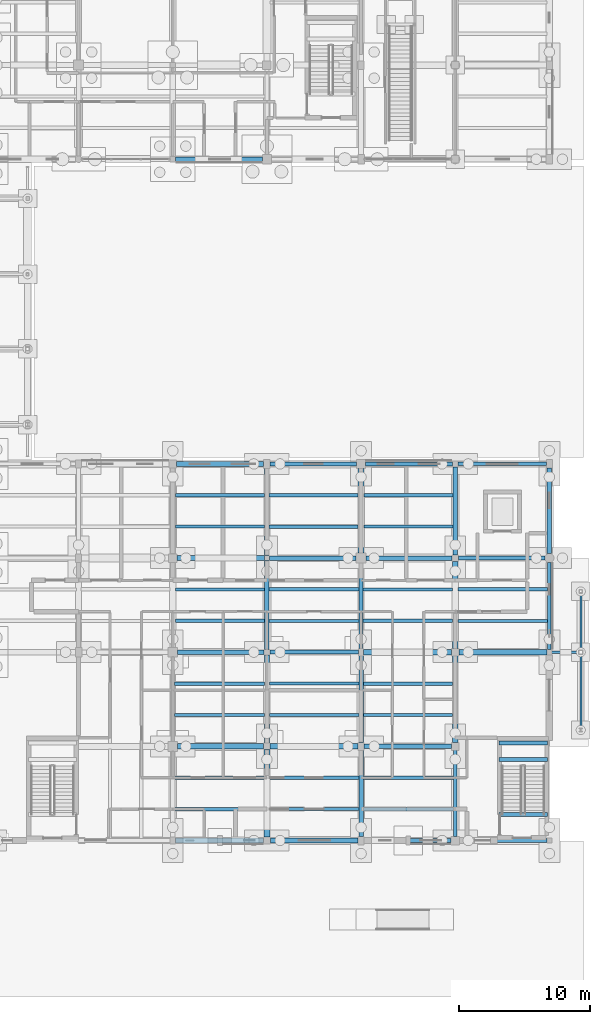
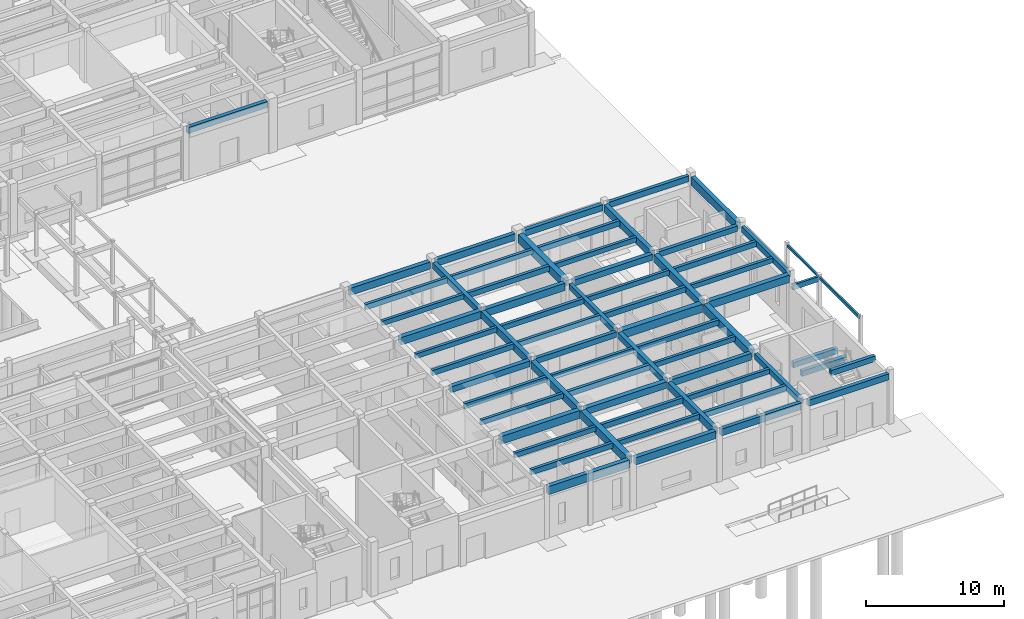
# One storey, part 72 of 143: 66 beams.
"""IFC4 building model written with IfcOpenShell, lengths in metres."""

import ifcopenshell
import ifcopenshell.guid

model = None  # the IFC model being written
_history = None  # IfcOwnerHistory: only IFC2X3 demands one
_inside = {}  # id of a spatial element -> (the spatial element, [elements in it])
_under = {}  # id of a project, library or spatial element -> (it, [spatial elements below it])
_declared = {}  # id of a project -> (the project, [libraries it declares])
_typed = {}  # id of a type object -> (the type object, [elements of that type])
_made_of = {}  # id of a material, layer set ... -> (it, [elements and type objects made of it])


def new_model(schema):
    """Start an empty IFC model of exactly this schema.

    Asked for "IFC4X3", IfcOpenShell would pick the latest addendum, in which some entities
    have other attributes; the version numbers below select the first issue.
    IFC2X3 requires an IfcOwnerHistory on every rooted entity: one is made here for all.
    """
    global model, _history
    if schema == "IFC4X3":
        model = ifcopenshell.file(schema_version=(4, 3, 0, 0))
    else:
        model = ifcopenshell.file(schema=schema)
    _inside.clear()
    _under.clear()
    _declared.clear()
    _typed.clear()
    _made_of.clear()
    _history = None
    if model.schema == "IFC2X3":
        org = make("IfcOrganization", Name="unknown")
        user = make(
            "IfcPersonAndOrganization",
            ThePerson=make("IfcPerson", FamilyName="unknown"),
            TheOrganization=org,
        )
        app = make(
            "IfcApplication",
            ApplicationDeveloper=org,
            Version="unknown",
            ApplicationFullName="unknown",
            ApplicationIdentifier="unknown",
        )
        _history = make(
            "IfcOwnerHistory",
            OwningUser=user,
            OwningApplication=app,
            ChangeAction="ADDED",
            CreationDate=0,
        )
    return model


def make(cls, **values):
    """One entity of the class cls with the attributes given. An attribute that is None is left unset."""
    return model.create_entity(
        cls, **{name: value for name, value in values.items() if value is not None}
    )


def rooted(cls, **values):
    """An entity with a GlobalId (a new one), such as an element, a storey or a relation."""
    return make(cls, GlobalId=ifcopenshell.guid.new(), OwnerHistory=_history, **values)


def si_unit(unit_type, name, prefix=None):
    """IfcSIUnit, for example si_unit("LENGTHUNIT", "METRE", prefix="MILLI")."""
    return make("IfcSIUnit", UnitType=unit_type, Prefix=prefix, Name=name)


def assignment(units):
    """IfcUnitAssignment: the units of a project."""
    return None if units is None else make("IfcUnitAssignment", Units=units)


def point(xyz):
    """IfcCartesianPoint."""
    return None if xyz is None else make("IfcCartesianPoint", Coordinates=xyz)


def direction(xyz):
    """IfcDirection."""
    return None if xyz is None else make("IfcDirection", DirectionRatios=xyz)


def frame(location, z_axis=None, x_axis=None):
    """IfcAxis2Placement3D, a coordinate frame: its origin and axes. An axis left out is left unset."""
    return make(
        "IfcAxis2Placement3D",
        Location=point(location),
        Axis=direction(z_axis),
        RefDirection=direction(x_axis),
    )


def frame_2d(location, x_axis=None):
    """IfcAxis2Placement2D, a coordinate frame in the plane: its origin and x axis."""
    return make(
        "IfcAxis2Placement2D", Location=point(location), RefDirection=direction(x_axis)
    )


def origin():
    """The frame at (0, 0, 0) with its axes left unset."""
    return frame((0.0, 0.0, 0.0))


def origin_2d():
    """The frame at (0, 0) in the plane with its x axis left unset."""
    return frame_2d((0.0, 0.0))


def place(relative_to, where):
    """IfcLocalPlacement: puts the frame where relative to a parent placement (None: the world)."""
    return make(
        "IfcLocalPlacement", PlacementRelTo=relative_to, RelativePlacement=where
    )


def context(
    kind, dimensions, precision=None, world=None, true_north=None, identifier=None
):
    """IfcGeometricRepresentationContext, for example the 3D "Model" context."""
    return make(
        "IfcGeometricRepresentationContext",
        ContextIdentifier=identifier,
        ContextType=kind,
        CoordinateSpaceDimension=dimensions,
        Precision=precision,
        WorldCoordinateSystem=world,
        TrueNorth=true_north,
    )


def subcontext(parent, identifier, kind, view, scale=None):
    """IfcGeometricRepresentationSubContext, for example "Body" below "Model"."""
    return make(
        "IfcGeometricRepresentationSubContext",
        ContextIdentifier=identifier,
        ContextType=kind,
        ParentContext=parent,
        TargetScale=scale,
        TargetView=view,
    )


def project(units=None, contexts=None):
    """IfcProject with its units and contexts."""
    return rooted(
        "IfcProject",
        Name="project",
        RepresentationContexts=contexts,
        UnitsInContext=assignment(units),
    )


def spatial(cls, under=None, at=None, **own):
    """A site, building, storey or space (cls), placed at a placement, below another one or the project."""
    s = rooted(cls, ObjectPlacement=at, **own)
    if under is not None:
        _under.setdefault(under.id(), (under, []))[1].append(s)
    return s


def profile(cls, at=None, kind="AREA", **sizes):
    """A parametric profile (cls). Its sizes go by their IFC names, for example OverallWidth=200.0."""
    return make(cls, ProfileType=kind, Position=at, **sizes)


def rectangle(**sizes):
    """IfcRectangleProfileDef."""
    return profile("IfcRectangleProfileDef", **sizes)


def hollow_rectangle(**sizes):
    """IfcRectangleHollowProfileDef."""
    return profile("IfcRectangleHollowProfileDef", **sizes)


def extrude(swept, where, along, depth):
    """IfcExtrudedAreaSolid: the profile swept, set in the frame where, extruded along a direction by depth."""
    return make(
        "IfcExtrudedAreaSolid",
        SweptArea=swept,
        Position=where,
        ExtrudedDirection=direction(along),
        Depth=depth,
    )


def shape(context_of_items, identifier, shape_type, items):
    """IfcShapeRepresentation: the items that make up one representation, for example the "Body"."""
    return make(
        "IfcShapeRepresentation",
        ContextOfItems=context_of_items,
        RepresentationIdentifier=identifier,
        RepresentationType=shape_type,
        Items=items,
    )


def material(Name=None, Category=None):
    """IfcMaterial."""
    return make("IfcMaterial", Name=Name, Category=Category)


def material_profile(
    of_material, cross_section, Name=None, Category=None, Priority=None
):
    """IfcMaterialProfile: a cross section and its material."""
    return make(
        "IfcMaterialProfile",
        Name=Name,
        Material=of_material,
        Profile=cross_section,
        Priority=Priority,
        Category=Category,
    )


def profile_set(profiles, Name=None, composite=None):
    """IfcMaterialProfileSet."""
    return make(
        "IfcMaterialProfileSet",
        Name=Name,
        MaterialProfiles=profiles,
        CompositeProfile=composite,
    )


def made_of(thing, what):
    """Note that an element or type object is made of a material, layer set ...; save() writes the relation."""
    if what is not None:
        _made_of.setdefault(what.id(), (what, []))[1].append(thing)
    return thing


def type_object(cls, material=None, **own):
    """A type object (cls), such as IfcWallType, which elements share."""
    return made_of(rooted(cls, **own), material)


def element(
    cls,
    number,
    at=None,
    inside=None,
    cuts=None,
    type_object=None,
    material=None,
    context=None,
    identifier="Body",
    shape_type=None,
    held_by="IfcProductDefinitionShape",
    body=None,
    shapes=None,
    **own,
):
    """One element of the class cls, such as IfcWall. Its Tag is "e" and its number.

    at: its placement. inside: the storey or other place that contains it. cuts: it is an
    opening in that element (IfcRelVoidsElement). A single representation is given by context,
    identifier, shape_type and body (its items); several are given by shapes. held_by: the class
    of the entity that holds the representations. save() writes the other relations.
    """
    e = rooted(cls, Tag="e%d" % number, ObjectPlacement=at, **own)
    if body is not None:
        shapes = [shape(context, identifier, shape_type, body)]
    if shapes is not None:
        e.Representation = make(held_by, Representations=shapes)
    if inside is not None:
        _inside.setdefault(inside.id(), (inside, []))[1].append(e)
    if cuts is not None:
        rooted(
            "IfcRelVoidsElement", RelatingBuildingElement=cuts, RelatedOpeningElement=e
        )
    if type_object is not None:
        _typed.setdefault(type_object.id(), (type_object, []))[1].append(e)
    return made_of(e, material)


def aggregate(whole, parts):
    """IfcRelAggregates: a whole, such as a stair, and the parts it consists of."""
    return rooted("IfcRelAggregates", RelatingObject=whole, RelatedObjects=parts)


def save(model, path):
    """Write the relations noted so far, then the file.

    IfcRelAggregates (storeys below a building ...), IfcRelContainedInSpatialStructure (elements
    in a storey), IfcRelDefinesByType, IfcRelAssociatesMaterial and IfcRelDeclares: one each for
    every whole, place, type object, material and project.
    """
    for whole, parts in _under.values():
        aggregate(whole, parts)
    for where, things in _inside.values():
        rooted(
            "IfcRelContainedInSpatialStructure",
            RelatedElements=things,
            RelatingStructure=where,
        )
    for kind, things in _typed.values():
        rooted("IfcRelDefinesByType", RelatedObjects=things, RelatingType=kind)
    for what, things in _made_of.values():
        rooted("IfcRelAssociatesMaterial", RelatedObjects=things, RelatingMaterial=what)
    for by, libraries in _declared.values():
        rooted("IfcRelDeclares", RelatingContext=by, RelatedDefinitions=libraries)
    model.write(path)


model = new_model("IFC4")

# Units and contexts
model_context = context("Model", 3, precision=1e-05, world=origin(), true_north=direction((0.0, 1.0)))
body_context = subcontext(model_context, "Body", "Model", "MODEL_VIEW")
ifc_project = project(units=[si_unit("LENGTHUNIT", "METRE"), si_unit("AREAUNIT", "SQUARE_METRE"), si_unit("VOLUMEUNIT", "CUBIC_METRE"), si_unit("PLANEANGLEUNIT", "RADIAN"), si_unit("MASSUNIT", "GRAM", prefix="KILO")], contexts=[model_context])

# Site, building, storey
site_placement = place(None, origin())
site = spatial("IfcSite", under=ifc_project, at=site_placement, CompositionType="ELEMENT")
building_placement = place(site_placement, origin())
building = spatial("IfcBuilding", under=site, at=building_placement, Name="Steenspoor Specialist Clinic", CompositionType="ELEMENT")
storey_placement = place(building_placement, origin())
storey = spatial("IfcBuildingStorey", under=building, at=storey_placement, Name="L00", CompositionType="ELEMENT", Elevation=0.0)

# Beams
ifc_material_1 = material(Name="Glulam GL28h", Category="wood")
ifc_material_profile_1 = material_profile(ifc_material_1, rectangle(XDim=0.199951171875, YDim=0.43994140625, at=origin_2d()), Name="GL28H-200X440")
ifc_profile_set_1 = profile_set([ifc_material_profile_1], Name="Glulam GL28h")
beam_type_1 = type_object("IfcBeamType", Name="BM-GL-200X440", PredefinedType="BEAM", material=ifc_profile_set_1)
beam_1_placement = place(storey_placement, frame((163.5, 27.449951171875, 3.1650390625), z_axis=(-1.0, 0.0, 0.0), x_axis=(0.0, -1.0, 0.0)))
element("IfcBeam", 1, at=beam_1_placement, inside=storey, type_object=beam_type_1, Name="BM-PORCH-EAST-TIE-04", PredefinedType="BEAM", context=body_context, shape_type="SweptSolid", body=[
    extrude(rectangle(XDim=0.199951171875, YDim=0.43994140625, at=origin_2d()), origin(), (0.0, 0.0, 1.0), 2.14990234375),
])
ifc_material_2 = material(Name="Concrete C35/45", Category="concrete")
ifc_material_profile_2 = material_profile(ifc_material_2, rectangle(XDim=0.300048828125, YDim=0.47998046875, at=origin_2d()), Name="RC-BM-300X480")
ifc_profile_set_2 = profile_set([ifc_material_profile_2], Name="Concrete C35/45")
beam_type_2 = type_object("IfcBeamType", Name="BM-RC-300X480", PredefinedType="BEAM", material=ifc_profile_set_2)
for number, where, z_axis, x_axis, name in (
    (2, (157.35009765625, 19.25, 1.9599609375), (1.0, 0.0, 0.0), (0.0, 1.0, 0.0), "Stair Mid-Landing Bearer 1 ST-V2B L00"),
    (3, (157.35009765625, 20.5, 1.9599609375), (1.0, 0.0, 0.0), (0.0, 1.0, 0.0), "Stair Mid-Landing Bearer 2 ST-V2B L00"),
    (4, (157.35009765625, 15.050048828125, 4.56005859375), (1.0, 0.0, 0.0), (0.0, 1.0, 0.0), "Stair Well Trimmer Beam ST-V2B L00"),
):
    element("IfcBeam", number, at=place(storey_placement, frame(where, z_axis=z_axis, x_axis=x_axis)), inside=storey, type_object=beam_type_2, Name=name, PredefinedType="BEAM", context=body_context, shape_type="SweptSolid", body=[
        extrude(rectangle(XDim=0.300048828125, YDim=0.47998046875, at=origin_2d()), origin(), (0.0, 0.0, 1.0), 3.699951171875),
    ])
beam_2_placement = place(storey_placement, frame((139.820068359375, 27.449951171875, 4.219970703125), z_axis=(1.0, 0.0, 0.0), x_axis=(0.0, 1.0, 0.0)))
element("IfcBeam", 5, at=beam_2_placement, inside=storey, type_object=beam_type_2, Name="BM-V2-L00-X0166", PredefinedType="BEAM", context=body_context, shape_type="SweptSolid", body=[
    extrude(rectangle(XDim=0.300048828125, YDim=0.47998046875, at=origin_2d()), origin(), (0.0, 0.0, 1.0), 6.784912109375),
])
beam_3_placement = place(storey_placement, frame((154.2451171875, 34.64990234375, 4.219970703125), z_axis=(1.0, 0.0, 0.0), x_axis=(0.0, 1.0, 0.0)))
element("IfcBeam", 6, at=beam_3_placement, inside=storey, type_object=beam_type_2, Name="BM-V2-L00-X0174", PredefinedType="BEAM", context=body_context, shape_type="SweptSolid", body=[
    extrude(rectangle(XDim=0.300048828125, YDim=0.47998046875, at=origin_2d()), origin(), (0.0, 0.0, 1.0), 6.60986328125),
])
beam_4_placement = place(storey_placement, frame((146.800048828125, 27.719970703125, 4.219970703125), z_axis=(0.0, 1.0, 0.0), x_axis=(-1.0, 0.0, 0.0)))
element("IfcBeam", 7, at=beam_4_placement, inside=storey, type_object=beam_type_2, Name="BM-V2-L00-Y0197", PredefinedType="BEAM", context=body_context, shape_type="SweptSolid", body=[
    extrude(rectangle(XDim=0.300048828125, YDim=0.47998046875, at=origin_2d()), origin(), (0.0, 0.0, 1.0), 6.56005859375),
])
beam_5_placement = place(storey_placement, frame((154.0, 13.3701171875, 4.219970703125), z_axis=(0.0, 1.0, 0.0), x_axis=(-1.0, 0.0, 0.0)))
element("IfcBeam", 8, at=beam_5_placement, inside=storey, type_object=beam_type_2, Name="BM-V2-L00-Y0199", PredefinedType="BEAM", context=body_context, shape_type="SweptSolid", body=[
    extrude(rectangle(XDim=0.300048828125, YDim=0.47998046875, at=origin_2d()), origin(), (0.0, 0.0, 1.0), 6.5849609375),
])
ifc_material_profile_3 = material_profile(ifc_material_2, rectangle(XDim=0.35009765625, YDim=0.52001953125, at=origin_2d()), Name="RC-BM-350X520")
ifc_profile_set_3 = profile_set([ifc_material_profile_3], Name="Concrete C35/45")
beam_type_3 = type_object("IfcBeamType", Name="BM-RC-350X520", PredefinedType="BEAM", material=ifc_profile_set_3)
beam_6_placement = place(storey_placement, frame((132.7451171875, 27.449951171875, 4.199951171875), z_axis=(1.0, 0.0, 0.0), x_axis=(0.0, 1.0, 0.0)))
element("IfcBeam", 9, at=beam_6_placement, inside=storey, type_object=beam_type_3, Name="BM-V2-L00-X0165", PredefinedType="BEAM", context=body_context, shape_type="SweptSolid", body=[
    extrude(rectangle(XDim=0.35009765625, YDim=0.52001953125, at=origin_2d()), origin(), (0.0, 0.0, 1.0), 6.634765625),
])
beam_7_placement = place(storey_placement, frame((147.169921875, 34.64990234375, 4.199951171875), z_axis=(1.0, 0.0, 0.0), x_axis=(0.0, 1.0, 0.0)))
element("IfcBeam", 10, at=beam_7_placement, inside=storey, type_object=beam_type_3, Name="BM-V2-L00-X0173", PredefinedType="BEAM", context=body_context, shape_type="SweptSolid", body=[
    extrude(rectangle(XDim=0.35009765625, YDim=0.52001953125, at=origin_2d()), origin(), (0.0, 0.0, 1.0), 6.5849609375),
])
beam_8_placement = place(storey_placement, frame((139.60009765625, 34.844970703125, 4.199951171875), z_axis=(0.0, 1.0, 0.0), x_axis=(-1.0, 0.0, 0.0)))
element("IfcBeam", 11, at=beam_8_placement, inside=storey, type_object=beam_type_3, Name="BM-V2-L00-Y0194", PredefinedType="BEAM", context=body_context, shape_type="SweptSolid", body=[
    extrude(rectangle(XDim=0.35009765625, YDim=0.52001953125, at=origin_2d()), origin(), (0.0, 0.0, 1.0), 6.659912109375),
])
beam_9_placement = place(storey_placement, frame((146.800048828125, 20.544921875, 4.199951171875), z_axis=(0.0, 1.0, 0.0), x_axis=(-1.0, 0.0, 0.0)))
element("IfcBeam", 12, at=beam_9_placement, inside=storey, type_object=beam_type_3, Name="BM-V2-L00-Y0196", PredefinedType="BEAM", context=body_context, shape_type="SweptSolid", body=[
    extrude(rectangle(XDim=0.35009765625, YDim=0.52001953125, at=origin_2d()), origin(), (0.0, 0.0, 1.0), 6.635009765625),
])
ifc_material_profile_4 = material_profile(ifc_material_2, rectangle(XDim=0.35009765625, YDim=0.580078125, at=origin_2d()), Name="RC-BM-350X580")
ifc_profile_set_4 = profile_set([ifc_material_profile_4], Name="Concrete C35/45")
beam_type_4 = type_object("IfcBeamType", Name="BM-RC-350X580", PredefinedType="BEAM", material=ifc_profile_set_4)
beam_10_placement = place(storey_placement, frame((147.02001953125, 20.25, 4.169921875), z_axis=(1.0, 0.0, 0.0), x_axis=(0.0, 1.0, 0.0)))
element("IfcBeam", 13, at=beam_10_placement, inside=storey, type_object=beam_type_4, Name="BM-V2-L00-X0162", PredefinedType="BEAM", context=body_context, shape_type="SweptSolid", body=[
    extrude(rectangle(XDim=0.35009765625, YDim=0.580078125, at=origin_2d()), origin(), (0.0, 0.0, 1.0), 6.68505859375),
])
ifc_material_profile_5 = material_profile(ifc_material_2, rectangle(XDim=0.35009765625, YDim=0.64990234375, at=origin_2d()), Name="RC-BM-350X650")
ifc_profile_set_5 = profile_set([ifc_material_profile_5], Name="Concrete C35/45")
beam_type_5 = type_object("IfcBeamType", Name="BM-RC-350X650", PredefinedType="BEAM", material=ifc_profile_set_5)
beam_11_placement = place(storey_placement, frame((139.794921875, 34.64990234375, 4.135009765625), z_axis=(1.0, 0.0, 0.0), x_axis=(0.0, 1.0, 0.0)))
element("IfcBeam", 14, at=beam_11_placement, inside=storey, type_object=beam_type_5, Name="BM-V2-L00-X0172", PredefinedType="BEAM", context=body_context, shape_type="SweptSolid", body=[
    extrude(rectangle(XDim=0.35009765625, YDim=0.64990234375, at=origin_2d()), origin(), (0.0, 0.0, 1.0), 6.635009765625),
])
beam_12_placement = place(storey_placement, frame((139.60009765625, 27.669921875, 4.135009765625), z_axis=(0.0, 1.0, 0.0), x_axis=(-1.0, 0.0, 0.0)))
element("IfcBeam", 15, at=beam_12_placement, inside=storey, type_object=beam_type_5, Name="BM-V2-L00-Y0193", PredefinedType="BEAM", context=body_context, shape_type="SweptSolid", body=[
    extrude(rectangle(XDim=0.35009765625, YDim=0.64990234375, at=origin_2d()), origin(), (0.0, 0.0, 1.0), 6.78515625),
])
beam_13_placement = place(storey_placement, frame((146.800048828125, 13.3701171875, 4.135009765625), z_axis=(0.0, 1.0, 0.0), x_axis=(-1.0, 0.0, 0.0)))
element("IfcBeam", 16, at=beam_13_placement, inside=storey, type_object=beam_type_5, Name="BM-V2-L00-Y0195", PredefinedType="BEAM", context=body_context, shape_type="SweptSolid", body=[
    extrude(rectangle(XDim=0.35009765625, YDim=0.64990234375, at=origin_2d()), origin(), (0.0, 0.0, 1.0), 6.5849609375),
])
beam_14_placement = place(storey_placement, frame((154.0, 34.89501953125, 4.135009765625), z_axis=(0.0, 1.0, 0.0), x_axis=(-1.0, 0.0, 0.0)))
element("IfcBeam", 17, at=beam_14_placement, inside=storey, type_object=beam_type_5, Name="BM-V2-L00-Y0202", PredefinedType="BEAM", context=body_context, shape_type="SweptSolid", body=[
    extrude(rectangle(XDim=0.35009765625, YDim=0.64990234375, at=origin_2d()), origin(), (0.0, 0.0, 1.0), 6.73486328125),
])
ifc_material_profile_6 = material_profile(ifc_material_2, rectangle(XDim=0.39990234375, YDim=0.580078125, at=origin_2d()), Name="RC-BM-400X580")
ifc_profile_set_6 = profile_set([ifc_material_profile_6], Name="Concrete C35/45")
beam_type_6 = type_object("IfcBeamType", Name="BM-RC-400X580", PredefinedType="BEAM", material=ifc_profile_set_6)
beam_15_placement = place(storey_placement, frame((139.844970703125, 20.25, 4.169921875), z_axis=(1.0, 0.0, 0.0), x_axis=(0.0, 1.0, 0.0)))
element("IfcBeam", 18, at=beam_15_placement, inside=storey, type_object=beam_type_6, Name="BM-V2-L00-X0161", PredefinedType="BEAM", context=body_context, shape_type="SweptSolid", body=[
    extrude(rectangle(XDim=0.39990234375, YDim=0.580078125, at=origin_2d()), origin(), (0.0, 0.0, 1.0), 6.735107421875),
])
ifc_material_profile_7 = material_profile(ifc_material_2, rectangle(XDim=0.39990234375, YDim=0.64990234375, at=origin_2d()), Name="RC-BM-400X650")
ifc_profile_set_7 = profile_set([ifc_material_profile_7], Name="Concrete C35/45")
beam_type_7 = type_object("IfcBeamType", Name="BM-RC-400X650", PredefinedType="BEAM", material=ifc_profile_set_7)
beam_16_placement = place(storey_placement, frame((154.27001953125, 27.449951171875, 4.135009765625), z_axis=(1.0, 0.0, 0.0), x_axis=(0.0, 1.0, 0.0)))
element("IfcBeam", 19, at=beam_16_placement, inside=storey, type_object=beam_type_7, Name="BM-V2-L00-X0168", PredefinedType="BEAM", context=body_context, shape_type="SweptSolid", body=[
    extrude(rectangle(XDim=0.39990234375, YDim=0.64990234375, at=origin_2d()), origin(), (0.0, 0.0, 1.0), 6.73486328125),
])
beam_17_placement = place(storey_placement, frame((132.719970703125, 34.64990234375, 4.135009765625), z_axis=(1.0, 0.0, 0.0), x_axis=(0.0, 1.0, 0.0)))
element("IfcBeam", 20, at=beam_17_placement, inside=storey, type_object=beam_type_7, Name="BM-V2-L00-X0171", PredefinedType="BEAM", context=body_context, shape_type="SweptSolid", body=[
    extrude(rectangle(XDim=0.39990234375, YDim=0.64990234375, at=origin_2d()), origin(), (0.0, 0.0, 1.0), 6.68505859375),
])
beam_18_placement = place(storey_placement, frame((139.60009765625, 20.4951171875, 4.135009765625), z_axis=(0.0, 1.0, 0.0), x_axis=(-1.0, 0.0, 0.0)))
element("IfcBeam", 21, at=beam_18_placement, inside=storey, type_object=beam_type_7, Name="BM-V2-L00-Y0192", PredefinedType="BEAM", context=body_context, shape_type="SweptSolid", body=[
    extrude(rectangle(XDim=0.39990234375, YDim=0.64990234375, at=origin_2d()), origin(), (0.0, 0.0, 1.0), 6.73486328125),
])
beam_19_placement = place(storey_placement, frame((154.0, 27.719970703125, 4.135009765625), z_axis=(0.0, 1.0, 0.0), x_axis=(-1.0, 0.0, 0.0)))
element("IfcBeam", 22, at=beam_19_placement, inside=storey, type_object=beam_type_7, Name="BM-V2-L00-Y0201", PredefinedType="BEAM", context=body_context, shape_type="SweptSolid", body=[
    extrude(rectangle(XDim=0.39990234375, YDim=0.64990234375, at=origin_2d()), origin(), (0.0, 0.0, 1.0), 6.68505859375),
])
ifc_material_profile_8 = material_profile(ifc_material_2, rectangle(XDim=0.39990234375, YDim=0.699951171875, at=origin_2d()), Name="RC-BM-400X700")
ifc_profile_set_8 = profile_set([ifc_material_profile_8], Name="Concrete C35/45")
beam_type_8 = type_object("IfcBeamType", Name="BM-RC-400X700", PredefinedType="BEAM", material=ifc_profile_set_8)
beam_20_placement = place(storey_placement, frame((132.77001953125, 20.25, 4.110107421875), z_axis=(1.0, 0.0, 0.0), x_axis=(0.0, 1.0, 0.0)))
element("IfcBeam", 23, at=beam_20_placement, inside=storey, type_object=beam_type_8, Name="BM-V2-L00-X0160", PredefinedType="BEAM", context=body_context, shape_type="SweptSolid", body=[
    extrude(rectangle(XDim=0.39990234375, YDim=0.699951171875, at=origin_2d()), origin(), (0.0, 0.0, 1.0), 6.5849609375),
])
ifc_material_profile_9 = material_profile(ifc_material_2, rectangle(XDim=0.449951171875, YDim=0.719970703125, at=origin_2d()), Name="RC-BM-450X720")
ifc_profile_set_9 = profile_set([ifc_material_profile_9], Name="Concrete C35/45")
beam_type_9 = type_object("IfcBeamType", Name="BM-RC-450X720", PredefinedType="BEAM", material=ifc_profile_set_9)
beam_21_placement = place(storey_placement, frame((146.9951171875, 27.449951171875, 4.10009765625), z_axis=(1.0, 0.0, 0.0), x_axis=(0.0, 1.0, 0.0)))
element("IfcBeam", 24, at=beam_21_placement, inside=storey, type_object=beam_type_9, Name="BM-V2-L00-X0167", PredefinedType="BEAM", context=body_context, shape_type="SweptSolid", body=[
    extrude(rectangle(XDim=0.449951171875, YDim=0.719970703125, at=origin_2d()), origin(), (0.0, 0.0, 1.0), 6.73486328125),
])
beam_22_placement = place(storey_placement, frame((139.60009765625, 13.320068359375, 4.10009765625), z_axis=(0.0, 1.0, 0.0), x_axis=(-1.0, 0.0, 0.0)))
element("IfcBeam", 25, at=beam_22_placement, inside=storey, type_object=beam_type_9, Name="BM-V2-L00-Y0191", PredefinedType="BEAM", context=body_context, shape_type="SweptSolid", body=[
    extrude(rectangle(XDim=0.449951171875, YDim=0.719970703125, at=origin_2d()), origin(), (0.0, 0.0, 1.0), 6.684814453125),
])
beam_23_placement = place(storey_placement, frame((146.800048828125, 35.02001953125, 4.10009765625), z_axis=(0.0, 1.0, 0.0), x_axis=(-1.0, 0.0, 0.0)))
element("IfcBeam", 26, at=beam_23_placement, inside=storey, type_object=beam_type_9, Name="BM-V2-L00-Y0198", PredefinedType="BEAM", context=body_context, shape_type="SweptSolid", body=[
    extrude(rectangle(XDim=0.449951171875, YDim=0.719970703125, at=origin_2d()), origin(), (0.0, 0.0, 1.0), 6.48486328125),
])
beam_24_placement = place(storey_placement, frame((154.0, 20.544921875, 4.10009765625), z_axis=(0.0, 1.0, 0.0), x_axis=(-1.0, 0.0, 0.0)))
element("IfcBeam", 27, at=beam_24_placement, inside=storey, type_object=beam_type_9, Name="BM-V2-L00-Y0200", PredefinedType="BEAM", context=body_context, shape_type="SweptSolid", body=[
    extrude(rectangle(XDim=0.449951171875, YDim=0.719970703125, at=origin_2d()), origin(), (0.0, 0.0, 1.0), 6.635009765625),
])
ifc_material_3 = material(Name="Steel A500 Grade C", Category="steel")
ifc_material_profile_10 = material_profile(ifc_material_3, hollow_rectangle(XDim=0.15234375, YDim=0.203125, WallThickness=0.0087890625, at=origin_2d()), Name="HSS203X152X9.5")
ifc_profile_set_10 = profile_set([ifc_material_profile_10], Name="Steel A500 Grade C")
beam_type_10 = type_object("IfcBeamType", Name="BM-ST-HSS203", PredefinedType="SPANDREL", material=ifc_profile_set_10)
beam_25_placement = place(storey_placement, frame((163.60009765625, 27.550048828125, 3.283447265625), z_axis=(0.0, 1.0, 0.0), x_axis=(-1.0, 0.0, 0.0)))
element("IfcBeam", 28, at=beam_25_placement, inside=storey, type_object=beam_type_10, Name="BM-PORCH-EAST-03", PredefinedType="SPANDREL", context=body_context, shape_type="SweptSolid", body=[
    extrude(hollow_rectangle(XDim=0.15234375, YDim=0.203125, WallThickness=0.0087890625, at=origin_2d()), origin(), (0.0, 0.0, 1.0), 4.449951171875),
])
ifc_material_profile_11 = material_profile(ifc_material_3, hollow_rectangle(XDim=0.15234375, YDim=0.25390625, WallThickness=0.0087890625, at=origin_2d()), Name="HSS254X152X9.5")
ifc_profile_set_11 = profile_set([ifc_material_profile_11], Name="Steel A500 Grade C")
beam_type_11 = type_object("IfcBeamType", Name="BM-ST-HSS254", PredefinedType="SPANDREL", material=ifc_profile_set_11)
beam_26_placement = place(storey_placement, frame((163.60009765625, 21.60009765625, 3.258056640625), z_axis=(0.0, 1.0, 0.0), x_axis=(-1.0, 0.0, 0.0)))
element("IfcBeam", 29, at=beam_26_placement, inside=storey, type_object=beam_type_11, Name="BM-PORCH-EAST-02", PredefinedType="SPANDREL", context=body_context, shape_type="SweptSolid", body=[
    extrude(hollow_rectangle(XDim=0.15234375, YDim=0.25390625, WallThickness=0.0087890625, at=origin_2d()), origin(), (0.0, 0.0, 1.0), 5.75),
])
ifc_material_profile_12 = material_profile(ifc_material_2, rectangle(XDim=0.239990234375, YDim=0.419921875, at=origin_2d()), Name="RC-JT-240X420")
ifc_profile_set_12 = profile_set([ifc_material_profile_12], Name="Concrete C35/45")
beam_type_12 = type_object("IfcBeamType", Name="JT-RC-240X420", PredefinedType="JOIST", material=ifc_profile_set_12)
beam_27_placement = place(storey_placement, frame((132.570068359375, 17.85009765625, 4.25), z_axis=(1.0, 0.0, 0.0), x_axis=(0.0, 1.0, 0.0)))
element("IfcBeam", 30, at=beam_27_placement, inside=storey, type_object=beam_type_12, Name="JT-V2-L00-0218", PredefinedType="JOIST", context=body_context, shape_type="SweptSolid", body=[
    extrude(rectangle(XDim=0.239990234375, YDim=0.419921875, at=origin_2d()), origin(), (0.0, 0.0, 1.0), 6.809814453125),
])
beam_28_placement = place(storey_placement, frame((132.544921875, 22.64990234375, 4.25), z_axis=(1.0, 0.0, 0.0), x_axis=(0.0, 1.0, 0.0)))
element("IfcBeam", 31, at=beam_28_placement, inside=storey, type_object=beam_type_12, Name="JT-V2-L00-0219", PredefinedType="JOIST", context=body_context, shape_type="SweptSolid", body=[
    extrude(rectangle(XDim=0.239990234375, YDim=0.419921875, at=origin_2d()), origin(), (0.0, 0.0, 1.0), 6.860107421875),
])
beam_29_placement = place(storey_placement, frame((132.6201171875, 32.25, 4.25), z_axis=(1.0, 0.0, 0.0), x_axis=(0.0, 1.0, 0.0)))
element("IfcBeam", 32, at=beam_29_placement, inside=storey, type_object=beam_type_12, Name="JT-V2-L00-0222", PredefinedType="JOIST", context=body_context, shape_type="SweptSolid", body=[
    extrude(rectangle(XDim=0.239990234375, YDim=0.419921875, at=origin_2d()), origin(), (0.0, 0.0, 1.0), 6.809814453125),
])
beam_30_placement = place(storey_placement, frame((132.594970703125, 37.050048828125, 4.25), z_axis=(1.0, 0.0, 0.0), x_axis=(0.0, 1.0, 0.0)))
element("IfcBeam", 33, at=beam_30_placement, inside=storey, type_object=beam_type_12, Name="JT-V2-L00-0223", PredefinedType="JOIST", context=body_context, shape_type="SweptSolid", body=[
    extrude(rectangle(XDim=0.239990234375, YDim=0.419921875, at=origin_2d()), origin(), (0.0, 0.0, 1.0), 6.8349609375),
])
beam_31_placement = place(storey_placement, frame((139.820068359375, 15.449951171875, 4.25), z_axis=(1.0, 0.0, 0.0), x_axis=(0.0, 1.0, 0.0)))
element("IfcBeam", 34, at=beam_31_placement, inside=storey, type_object=beam_type_12, Name="JT-V2-L00-0225", PredefinedType="JOIST", context=body_context, shape_type="SweptSolid", body=[
    extrude(rectangle(XDim=0.239990234375, YDim=0.419921875, at=origin_2d()), origin(), (0.0, 0.0, 1.0), 6.809814453125),
])
beam_32_placement = place(storey_placement, frame((139.794921875, 25.050048828125, 4.25), z_axis=(1.0, 0.0, 0.0), x_axis=(0.0, 1.0, 0.0)))
element("IfcBeam", 35, at=beam_32_placement, inside=storey, type_object=beam_type_12, Name="JT-V2-L00-0228", PredefinedType="JOIST", context=body_context, shape_type="SweptSolid", body=[
    extrude(rectangle(XDim=0.239990234375, YDim=0.419921875, at=origin_2d()), origin(), (0.0, 0.0, 1.0), 6.8349609375),
])
beam_33_placement = place(storey_placement, frame((139.77001953125, 29.85009765625, 4.25), z_axis=(1.0, 0.0, 0.0), x_axis=(0.0, 1.0, 0.0)))
element("IfcBeam", 36, at=beam_33_placement, inside=storey, type_object=beam_type_12, Name="JT-V2-L00-0229", PredefinedType="JOIST", context=body_context, shape_type="SweptSolid", body=[
    extrude(rectangle(XDim=0.239990234375, YDim=0.419921875, at=origin_2d()), origin(), (0.0, 0.0, 1.0), 6.885009765625),
])
beam_34_placement = place(storey_placement, frame((139.77001953125, 39.449951171875, 4.25), z_axis=(1.0, 0.0, 0.0), x_axis=(0.0, 1.0, 0.0)))
element("IfcBeam", 37, at=beam_34_placement, inside=storey, type_object=beam_type_12, Name="JT-V2-L00-0232", PredefinedType="JOIST", context=body_context, shape_type="SweptSolid", body=[
    extrude(rectangle(XDim=0.239990234375, YDim=0.419921875, at=origin_2d()), origin(), (0.0, 0.0, 1.0), 6.81005859375),
])
beam_35_placement = place(storey_placement, frame((146.969970703125, 17.85009765625, 4.25), z_axis=(1.0, 0.0, 0.0), x_axis=(0.0, 1.0, 0.0)))
element("IfcBeam", 38, at=beam_35_placement, inside=storey, type_object=beam_type_12, Name="JT-V2-L00-0234", PredefinedType="JOIST", context=body_context, shape_type="SweptSolid", body=[
    extrude(rectangle(XDim=0.239990234375, YDim=0.419921875, at=origin_2d()), origin(), (0.0, 0.0, 1.0), 6.885009765625),
])
beam_36_placement = place(storey_placement, frame((146.969970703125, 22.64990234375, 4.25), z_axis=(1.0, 0.0, 0.0), x_axis=(0.0, 1.0, 0.0)))
element("IfcBeam", 39, at=beam_36_placement, inside=storey, type_object=beam_type_12, Name="JT-V2-L00-0235", PredefinedType="JOIST", context=body_context, shape_type="SweptSolid", body=[
    extrude(rectangle(XDim=0.239990234375, YDim=0.419921875, at=origin_2d()), origin(), (0.0, 0.0, 1.0), 6.81005859375),
])
beam_37_placement = place(storey_placement, frame((146.945068359375, 32.25, 4.25), z_axis=(1.0, 0.0, 0.0), x_axis=(0.0, 1.0, 0.0)))
element("IfcBeam", 40, at=beam_37_placement, inside=storey, type_object=beam_type_12, Name="JT-V2-L00-0238", PredefinedType="JOIST", context=body_context, shape_type="SweptSolid", body=[
    extrude(rectangle(XDim=0.239990234375, YDim=0.419921875, at=origin_2d()), origin(), (0.0, 0.0, 1.0), 6.85986328125),
])
beam_38_placement = place(storey_placement, frame((147.02001953125, 37.050048828125, 4.25), z_axis=(1.0, 0.0, 0.0), x_axis=(0.0, 1.0, 0.0)))
element("IfcBeam", 41, at=beam_38_placement, inside=storey, type_object=beam_type_12, Name="JT-V2-L00-0239", PredefinedType="JOIST", context=body_context, shape_type="SweptSolid", body=[
    extrude(rectangle(XDim=0.239990234375, YDim=0.419921875, at=origin_2d()), origin(), (0.0, 0.0, 1.0), 6.81005859375),
])
beam_39_placement = place(storey_placement, frame((154.195068359375, 29.85009765625, 4.25), z_axis=(1.0, 0.0, 0.0), x_axis=(0.0, 1.0, 0.0)))
element("IfcBeam", 42, at=beam_39_placement, inside=storey, type_object=beam_type_12, Name="JT-V2-L00-0241", PredefinedType="JOIST", context=body_context, shape_type="SweptSolid", body=[
    extrude(rectangle(XDim=0.239990234375, YDim=0.419921875, at=origin_2d()), origin(), (0.0, 0.0, 1.0), 6.869873046875),
])
ifc_material_profile_13 = material_profile(ifc_material_2, rectangle(XDim=0.260009765625, YDim=0.4599609375, at=origin_2d()), Name="RC-JT-260X460")
ifc_profile_set_13 = profile_set([ifc_material_profile_13], Name="Concrete C35/45")
beam_type_13 = type_object("IfcBeamType", Name="JT-RC-260X460", PredefinedType="JOIST", material=ifc_profile_set_13)
beam_40_placement = place(storey_placement, frame((132.570068359375, 15.449951171875, 4.22998046875), z_axis=(1.0, 0.0, 0.0), x_axis=(0.0, 1.0, 0.0)))
element("IfcBeam", 43, at=beam_40_placement, inside=storey, type_object=beam_type_13, Name="JT-V2-L00-0217", PredefinedType="JOIST", context=body_context, shape_type="SweptSolid", body=[
    extrude(rectangle(XDim=0.260009765625, YDim=0.4599609375, at=origin_2d()), origin(), (0.0, 0.0, 1.0), 6.809814453125),
])
beam_41_placement = place(storey_placement, frame((132.544921875, 25.050048828125, 4.22998046875), z_axis=(1.0, 0.0, 0.0), x_axis=(0.0, 1.0, 0.0)))
element("IfcBeam", 44, at=beam_41_placement, inside=storey, type_object=beam_type_13, Name="JT-V2-L00-0220", PredefinedType="JOIST", context=body_context, shape_type="SweptSolid", body=[
    extrude(rectangle(XDim=0.260009765625, YDim=0.4599609375, at=origin_2d()), origin(), (0.0, 0.0, 1.0), 6.860107421875),
])
beam_42_placement = place(storey_placement, frame((132.6201171875, 29.85009765625, 4.22998046875), z_axis=(1.0, 0.0, 0.0), x_axis=(0.0, 1.0, 0.0)))
element("IfcBeam", 45, at=beam_42_placement, inside=storey, type_object=beam_type_13, Name="JT-V2-L00-0221", PredefinedType="JOIST", context=body_context, shape_type="SweptSolid", body=[
    extrude(rectangle(XDim=0.260009765625, YDim=0.4599609375, at=origin_2d()), origin(), (0.0, 0.0, 1.0), 6.809814453125),
])
beam_43_placement = place(storey_placement, frame((132.594970703125, 39.449951171875, 4.22998046875), z_axis=(1.0, 0.0, 0.0), x_axis=(0.0, 1.0, 0.0)))
element("IfcBeam", 46, at=beam_43_placement, inside=storey, type_object=beam_type_13, Name="JT-V2-L00-0224", PredefinedType="JOIST", context=body_context, shape_type="SweptSolid", body=[
    extrude(rectangle(XDim=0.260009765625, YDim=0.4599609375, at=origin_2d()), origin(), (0.0, 0.0, 1.0), 6.8349609375),
])
beam_44_placement = place(storey_placement, frame((139.820068359375, 17.85009765625, 4.22998046875), z_axis=(1.0, 0.0, 0.0), x_axis=(0.0, 1.0, 0.0)))
element("IfcBeam", 47, at=beam_44_placement, inside=storey, type_object=beam_type_13, Name="JT-V2-L00-0226", PredefinedType="JOIST", context=body_context, shape_type="SweptSolid", body=[
    extrude(rectangle(XDim=0.260009765625, YDim=0.4599609375, at=origin_2d()), origin(), (0.0, 0.0, 1.0), 6.809814453125),
])
beam_45_placement = place(storey_placement, frame((139.794921875, 22.64990234375, 4.22998046875), z_axis=(1.0, 0.0, 0.0), x_axis=(0.0, 1.0, 0.0)))
element("IfcBeam", 48, at=beam_45_placement, inside=storey, type_object=beam_type_13, Name="JT-V2-L00-0227", PredefinedType="JOIST", context=body_context, shape_type="SweptSolid", body=[
    extrude(rectangle(XDim=0.260009765625, YDim=0.4599609375, at=origin_2d()), origin(), (0.0, 0.0, 1.0), 6.8349609375),
])
beam_46_placement = place(storey_placement, frame((139.77001953125, 32.25, 4.22998046875), z_axis=(1.0, 0.0, 0.0), x_axis=(0.0, 1.0, 0.0)))
element("IfcBeam", 49, at=beam_46_placement, inside=storey, type_object=beam_type_13, Name="JT-V2-L00-0230", PredefinedType="JOIST", context=body_context, shape_type="SweptSolid", body=[
    extrude(rectangle(XDim=0.260009765625, YDim=0.4599609375, at=origin_2d()), origin(), (0.0, 0.0, 1.0), 6.885009765625),
])
beam_47_placement = place(storey_placement, frame((139.77001953125, 37.050048828125, 4.22998046875), z_axis=(1.0, 0.0, 0.0), x_axis=(0.0, 1.0, 0.0)))
element("IfcBeam", 50, at=beam_47_placement, inside=storey, type_object=beam_type_13, Name="JT-V2-L00-0231", PredefinedType="JOIST", context=body_context, shape_type="SweptSolid", body=[
    extrude(rectangle(XDim=0.260009765625, YDim=0.4599609375, at=origin_2d()), origin(), (0.0, 0.0, 1.0), 6.81005859375),
])
beam_48_placement = place(storey_placement, frame((146.969970703125, 15.449951171875, 4.22998046875), z_axis=(1.0, 0.0, 0.0), x_axis=(0.0, 1.0, 0.0)))
element("IfcBeam", 51, at=beam_48_placement, inside=storey, type_object=beam_type_13, Name="JT-V2-L00-0233", PredefinedType="JOIST", context=body_context, shape_type="SweptSolid", body=[
    extrude(rectangle(XDim=0.260009765625, YDim=0.4599609375, at=origin_2d()), origin(), (0.0, 0.0, 1.0), 6.885009765625),
])
beam_49_placement = place(storey_placement, frame((146.969970703125, 25.050048828125, 4.22998046875), z_axis=(1.0, 0.0, 0.0), x_axis=(0.0, 1.0, 0.0)))
element("IfcBeam", 52, at=beam_49_placement, inside=storey, type_object=beam_type_13, Name="JT-V2-L00-0236", PredefinedType="JOIST", context=body_context, shape_type="SweptSolid", body=[
    extrude(rectangle(XDim=0.260009765625, YDim=0.4599609375, at=origin_2d()), origin(), (0.0, 0.0, 1.0), 6.81005859375),
])
beam_50_placement = place(storey_placement, frame((146.945068359375, 29.85009765625, 4.22998046875), z_axis=(1.0, 0.0, 0.0), x_axis=(0.0, 1.0, 0.0)))
element("IfcBeam", 53, at=beam_50_placement, inside=storey, type_object=beam_type_13, Name="JT-V2-L00-0237", PredefinedType="JOIST", context=body_context, shape_type="SweptSolid", body=[
    extrude(rectangle(XDim=0.260009765625, YDim=0.4599609375, at=origin_2d()), origin(), (0.0, 0.0, 1.0), 6.85986328125),
])
beam_51_placement = place(storey_placement, frame((147.02001953125, 39.449951171875, 4.22998046875), z_axis=(1.0, 0.0, 0.0), x_axis=(0.0, 1.0, 0.0)))
element("IfcBeam", 54, at=beam_51_placement, inside=storey, type_object=beam_type_13, Name="JT-V2-L00-0240", PredefinedType="JOIST", context=body_context, shape_type="SweptSolid", body=[
    extrude(rectangle(XDim=0.260009765625, YDim=0.4599609375, at=origin_2d()), origin(), (0.0, 0.0, 1.0), 6.81005859375),
])
beam_52_placement = place(storey_placement, frame((154.195068359375, 32.25, 4.22998046875), z_axis=(1.0, 0.0, 0.0), x_axis=(0.0, 1.0, 0.0)))
element("IfcBeam", 55, at=beam_52_placement, inside=storey, type_object=beam_type_13, Name="JT-V2-L00-0242", PredefinedType="JOIST", context=body_context, shape_type="SweptSolid", body=[
    extrude(rectangle(XDim=0.260009765625, YDim=0.4599609375, at=origin_2d()), origin(), (0.0, 0.0, 1.0), 6.869873046875),
])
ifc_material_profile_14 = material_profile(ifc_material_2, rectangle(XDim=0.280029296875, YDim=0.5, at=origin_2d()), Name="RC-SP-280X500")
ifc_profile_set_14 = profile_set([ifc_material_profile_14], Name="Concrete C35/45")
beam_type_14 = type_object("IfcBeamType", Name="SP-RC-280X500", PredefinedType="SPANDREL", material=ifc_profile_set_14)
beam_53_placement = place(storey_placement, frame((154.219970703125, 41.85009765625, 4.2099609375), z_axis=(1.0, 0.0, 0.0), x_axis=(0.0, 1.0, 0.0)))
element("IfcBeam", 56, at=beam_53_placement, inside=storey, type_object=beam_type_14, Name="BM-V2-L00-X0180", PredefinedType="SPANDREL", context=body_context, shape_type="SweptSolid", body=[
    extrude(rectangle(XDim=0.280029296875, YDim=0.5, at=origin_2d()), origin(), (0.0, 0.0, 1.0), 6.760009765625),
])
beam_54_placement = place(storey_placement, frame((161.199951171875, 27.64501953125, 4.2099609375), z_axis=(0.0, 1.0, 0.0), x_axis=(-1.0, 0.0, 0.0)))
element("IfcBeam", 57, at=beam_54_placement, inside=storey, type_object=beam_type_14, Name="BM-V2-L00-Y0203", PredefinedType="SPANDREL", context=body_context, shape_type="SweptSolid", body=[
    extrude(rectangle(XDim=0.280029296875, YDim=0.5, at=origin_2d()), origin(), (0.0, 0.0, 1.0), 6.659912109375),
])
ifc_material_profile_15 = material_profile(ifc_material_2, rectangle(XDim=0.320068359375, YDim=0.5400390625, at=origin_2d()), Name="RC-SP-320X540")
ifc_profile_set_15 = profile_set([ifc_material_profile_15], Name="Concrete C35/45")
beam_type_15 = type_object("IfcBeamType", Name="SP-RC-320X540", PredefinedType="SPANDREL", material=ifc_profile_set_15)
beam_55_placement = place(storey_placement, frame((154.320068359375, 13.050048828125, 4.18994140625), z_axis=(1.0, 0.0, 0.0), x_axis=(0.0, 1.0, 0.0)))
element("IfcBeam", 58, at=beam_55_placement, inside=storey, type_object=beam_type_15, Name="BM-V2-L00-X0158", PredefinedType="SPANDREL", context=body_context, shape_type="SweptSolid", body=[
    extrude(rectangle(XDim=0.320068359375, YDim=0.5400390625, at=origin_2d()), origin(), (0.0, 0.0, 1.0), 6.684814453125),
])
beam_56_placement = place(storey_placement, frame((147.14501953125, 41.85009765625, 4.18994140625), z_axis=(1.0, 0.0, 0.0), x_axis=(0.0, 1.0, 0.0)))
element("IfcBeam", 59, at=beam_56_placement, inside=storey, type_object=beam_type_15, Name="BM-V2-L00-X0179", PredefinedType="SPANDREL", context=body_context, shape_type="SweptSolid", body=[
    extrude(rectangle(XDim=0.320068359375, YDim=0.5400390625, at=origin_2d()), origin(), (0.0, 0.0, 1.0), 6.635009765625),
])
beam_57_placement = place(storey_placement, frame((132.6201171875, 65.14990234375, 4.25), z_axis=(1.0, 0.0, 0.0), x_axis=(0.0, 1.0, 0.0)))
element("IfcBeam", 60, at=beam_57_placement, inside=storey, type_object=beam_type_15, Name="BM-V6-L00-X1358", PredefinedType="SPANDREL", context=body_context, shape_type="SweptSolid", body=[
    extrude(rectangle(XDim=0.320068359375, YDim=0.5400390625, at=origin_2d()), origin(), (0.0, 0.0, 1.0), 6.634765625),
])
ifc_material_profile_16 = material_profile(ifc_material_2, rectangle(XDim=0.320068359375, YDim=0.60009765625, at=origin_2d()), Name="RC-SP-320X600")
ifc_profile_set_16 = profile_set([ifc_material_profile_16], Name="Concrete C35/45")
beam_type_16 = type_object("IfcBeamType", Name="SP-RC-320X600", PredefinedType="SPANDREL", material=ifc_profile_set_16)
beam_58_placement = place(storey_placement, frame((147.02001953125, 13.050048828125, 4.159912109375), z_axis=(1.0, 0.0, 0.0), x_axis=(0.0, 1.0, 0.0)))
element("IfcBeam", 61, at=beam_58_placement, inside=storey, type_object=beam_type_16, Name="BM-V2-L00-X0157", PredefinedType="SPANDREL", context=body_context, shape_type="SweptSolid", body=[
    extrude(rectangle(XDim=0.320068359375, YDim=0.60009765625, at=origin_2d()), origin(), (0.0, 0.0, 1.0), 6.659912109375),
])
beam_59_placement = place(storey_placement, frame((139.844970703125, 41.85009765625, 4.159912109375), z_axis=(1.0, 0.0, 0.0), x_axis=(0.0, 1.0, 0.0)))
element("IfcBeam", 62, at=beam_59_placement, inside=storey, type_object=beam_type_16, Name="BM-V2-L00-X0178", PredefinedType="SPANDREL", context=body_context, shape_type="SweptSolid", body=[
    extrude(rectangle(XDim=0.320068359375, YDim=0.60009765625, at=origin_2d()), origin(), (0.0, 0.0, 1.0), 6.610107421875),
])
ifc_material_profile_17 = material_profile(ifc_material_2, rectangle(XDim=0.360107421875, YDim=0.639892578125, at=origin_2d()), Name="RC-SP-360X640")
ifc_profile_set_17 = profile_set([ifc_material_profile_17], Name="Concrete C35/45")
beam_type_17 = type_object("IfcBeamType", Name="SP-RC-360X640", PredefinedType="SPANDREL", material=ifc_profile_set_17)
beam_60_placement = place(storey_placement, frame((139.8701171875, 13.050048828125, 4.139892578125), z_axis=(1.0, 0.0, 0.0), x_axis=(0.0, 1.0, 0.0)))
element("IfcBeam", 63, at=beam_60_placement, inside=storey, type_object=beam_type_17, Name="BM-V2-L00-X0156", PredefinedType="SPANDREL", context=body_context, shape_type="SweptSolid", body=[
    extrude(rectangle(XDim=0.360107421875, YDim=0.639892578125, at=origin_2d()), origin(), (0.0, 0.0, 1.0), 6.7099609375),
])
beam_61_placement = place(storey_placement, frame((132.695068359375, 41.85009765625, 4.139892578125), z_axis=(1.0, 0.0, 0.0), x_axis=(0.0, 1.0, 0.0)))
element("IfcBeam", 64, at=beam_61_placement, inside=storey, type_object=beam_type_17, Name="BM-V2-L00-X0177", PredefinedType="SPANDREL", context=body_context, shape_type="SweptSolid", body=[
    extrude(rectangle(XDim=0.360107421875, YDim=0.639892578125, at=origin_2d()), origin(), (0.0, 0.0, 1.0), 6.659912109375),
])
ifc_material_profile_18 = material_profile(ifc_material_2, rectangle(XDim=0.360107421875, YDim=0.719970703125, at=origin_2d()), Name="RC-SP-360X720")
ifc_profile_set_18 = profile_set([ifc_material_profile_18], Name="Concrete C35/45")
beam_type_18 = type_object("IfcBeamType", Name="SP-RC-360X720", PredefinedType="SPANDREL", material=ifc_profile_set_18)
beam_62_placement = place(storey_placement, frame((132.594970703125, 13.050048828125, 4.10009765625), z_axis=(1.0, 0.0, 0.0), x_axis=(0.0, 1.0, 0.0)))
element("IfcBeam", 65, at=beam_62_placement, inside=storey, type_object=beam_type_18, Name="BM-V2-L00-X0155", PredefinedType="SPANDREL", context=body_context, shape_type="SweptSolid", body=[
    extrude(rectangle(XDim=0.360107421875, YDim=0.719970703125, at=origin_2d()), origin(), (0.0, 0.0, 1.0), 6.735107421875),
])
beam_63_placement = place(storey_placement, frame((161.199951171875, 34.9951171875, 4.10009765625), z_axis=(0.0, 1.0, 0.0), x_axis=(-1.0, 0.0, 0.0)))
element("IfcBeam", 66, at=beam_63_placement, inside=storey, type_object=beam_type_18, Name="BM-V2-L00-Y0204", PredefinedType="SPANDREL", context=body_context, shape_type="SweptSolid", body=[
    extrude(rectangle(XDim=0.360107421875, YDim=0.719970703125, at=origin_2d()), origin(), (0.0, 0.0, 1.0), 6.534912109375),
])

save(model, "model.ifc")
